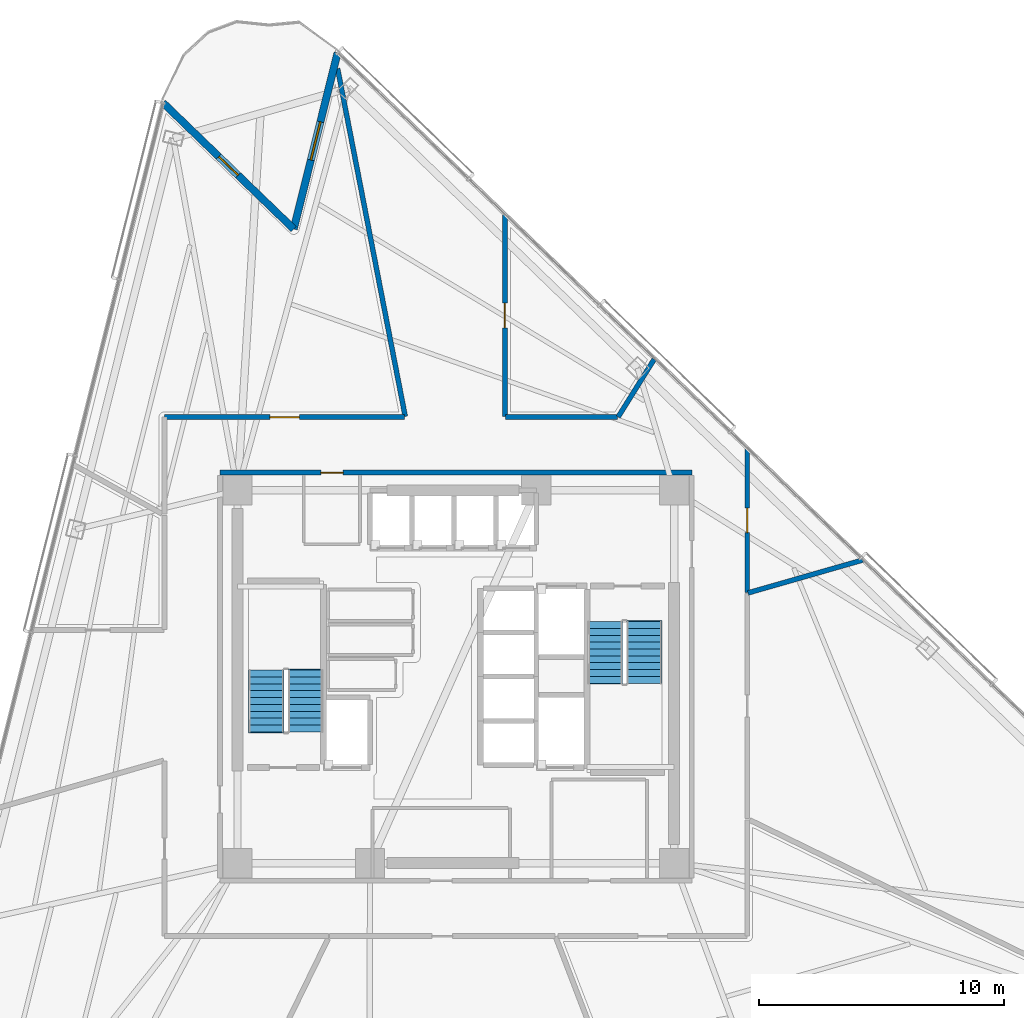
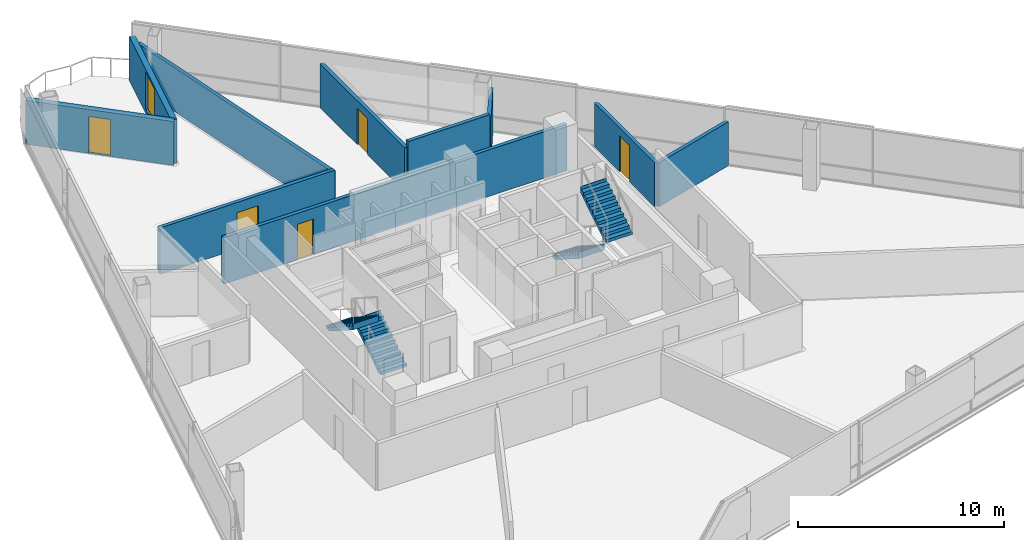
# One storey, part 11 of 17: 10 walls, 5 doors, 4 stair flights, 1 window, 6 openings, 2 elements without a shape of their own.
"""IFC4 building model written with IfcOpenShell, lengths in metres."""

from ifc_helpers import new_model, si_unit, direction, frame, frame_2d, origin, place, context, subcontext, project, spatial, polyline, rectangle, outline, extrude, material, layer, layer_set, type_object, element, fill, aggregate, save


model = new_model("IFC4")

# Units and contexts
model_context = context("Model", 3, precision=1e-05, world=origin(), true_north=direction((0.0, 1.0)))
body_context = subcontext(model_context, "Body", "Model", "MODEL_VIEW")
ifc_project = project(units=[si_unit("LENGTHUNIT", "METRE"), si_unit("AREAUNIT", "SQUARE_METRE"), si_unit("VOLUMEUNIT", "CUBIC_METRE"), si_unit("PLANEANGLEUNIT", "RADIAN"), si_unit("MASSUNIT", "GRAM", prefix="KILO")], contexts=[model_context])

# Site, building, storey
site_placement = place(None, origin())
site = spatial("IfcSite", under=ifc_project, at=site_placement, CompositionType="ELEMENT")
building_placement = place(site_placement, origin())
building = spatial("IfcBuilding", under=site, at=building_placement, Name="Tharavind Bronze Gate", CompositionType="ELEMENT")
storey_placement = place(building_placement, frame((0.0, 0.0, 93.300048828125)))
storey = spatial("IfcBuildingStorey", under=building, at=storey_placement, Name="L23", CompositionType="ELEMENT", Elevation=93.300048828125)

# Wall, opening, window
ifc_material_1 = material(Name="Concrete C40/50", Category="concrete")
ifc_layer_1 = layer(ifc_material_1, 0.300048828125)
ifc_layer_set_1 = layer_set([ifc_layer_1], Name="Concrete C40/50")
wall_type_1 = type_object("IfcWallType", Name="EXTERIOR SPANDREL WALL 300", PredefinedType="STANDARD", material=ifc_layer_set_1)
wall_1_placement = place(storey_placement, frame((-4.8203125, 25.433837890625, 0.0), z_axis=(0.0, 0.0, 1.0), x_axis=(-0.241930078207, -0.970293686086, 0.0)))
wall_1 = element("IfcWall", 1, at=wall_1_placement, inside=storey, type_object=wall_type_1, Name="L23 notch cheek wall 1A", PredefinedType="STANDARD", context=body_context, shape_type="SweptSolid", body=[
    extrude(rectangle(XDim=7.39990234375, YDim=0.300048828125, at=frame_2d((3.699951171875, 0.0))), origin(), (0.0, 0.0, 1.0), 2.60498046875),
])
opening_1_placement = place(wall_1_placement, frame((2.89990234375, 0.0, 0.25)))
opening_1 = element("IfcOpeningElement", 2, at=opening_1_placement, cuts=wall_1, Name="Opening W05", PredefinedType="OPENING", context=body_context, shape_type="SweptSolid", body=[
    extrude(rectangle(XDim=1.60009765625, YDim=2.199951171875, at=frame_2d((0.800048828125, 1.10009765625))), frame((0.0, 0.15990234375, 0.0), z_axis=(0.0, -1.0, 0.0), x_axis=(1.0, 0.0, 0.0)), (0.0, 0.0, 1.0), 0.320048828125),
])
ifc_material_2 = material(Name="Bronze Aluminium & Low-E Glass", Category="aluminium")
window_type = type_object("IfcWindowType", Name="OFFICE NOTCH BRONZE WINDOW 1600X2200", PartitioningType="DOUBLE_PANEL_VERTICAL", PredefinedType="WINDOW", material=ifc_material_2)
window_placement = place(opening_1_placement, origin())
window = element("IfcWindow", 3, at=window_placement, inside=storey, type_object=window_type, Name="L23 exterior window WL-L23-NCA1-01", OverallHeight=2.199951171875, OverallWidth=1.60009765625, PartitioningType="SINGLE_PANEL", PredefinedType="WINDOW", context=body_context, shape_type="SweptSolid", body=[
    extrude(rectangle(XDim=1.60009765625, YDim=2.199951171875, at=frame_2d((0.800048828125, 1.10009765625))), frame((0.0, 0.030029296875, 0.0), z_axis=(0.0, -1.0, 0.0), x_axis=(1.0, 0.0, 0.0)), (0.0, 0.0, 1.0), 0.06005859375),
])
fill(opening_1, window)

# Wall, opening, door
wall_2_placement = place(storey_placement, frame((-6.610595703125, 18.253662109375, 0.0), z_axis=(0.0, 0.0, 1.0), x_axis=(-0.719321869339, 0.694676938073, 0.0)))
wall_2 = element("IfcWall", 4, at=wall_2_placement, inside=storey, type_object=wall_type_1, Name="L23 notch cheek wall 1B", PredefinedType="STANDARD", context=body_context, shape_type="SweptSolid", body=[
    extrude(rectangle(XDim=7.39990234375, YDim=0.300048828125, at=frame_2d((3.699951171875, 0.0))), origin(), (0.0, 0.0, 1.0), 2.60498046875),
])
opening_2_placement = place(wall_2_placement, frame((3.14990234375, 0.0, 0.0)))
opening_2 = element("IfcOpeningElement", 5, at=opening_2_placement, cuts=wall_2, Name="Opening ED04", PredefinedType="OPENING", context=body_context, shape_type="SweptSolid", body=[
    extrude(rectangle(XDim=1.10009765625, YDim=2.199951171875, at=frame_2d((0.550048828125, 1.10009765625))), frame((0.0, 0.15990234375, 0.0), z_axis=(0.0, -1.0, 0.0), x_axis=(1.0, 0.0, 0.0)), (0.0, 0.0, 1.0), 0.320048828125),
])
ifc_material_3 = material(Name="Bronze Aluminium & Toughened Glass", Category="aluminium")
door_type_1 = type_object("IfcDoorType", Name="TREE BALCONY ACCESS DOOR 1100X2200", OperationType="SINGLE_SWING_LEFT", PredefinedType="DOOR", material=ifc_material_3)
door_1_placement = place(opening_2_placement, frame((1.10009765625, 0.0, 0.0), z_axis=(0.0, 0.0, 1.0), x_axis=(-1.0, 0.0, 0.0)))
door_1 = element("IfcDoor", 6, at=door_1_placement, inside=storey, type_object=door_type_1, Name="L23 tree balcony access door", OperationType="SINGLE_SWING_LEFT", OverallHeight=2.199951171875, OverallWidth=1.10009765625, PredefinedType="DOOR", context=body_context, shape_type="SweptSolid", body=[
    extrude(rectangle(XDim=1.10009765625, YDim=2.199951171875, at=frame_2d((0.550048828125, 1.10009765625))), frame((0.0, 0.02490234375, 0.0), z_axis=(0.0, -1.0, 0.0), x_axis=(1.0, 0.0, 0.0)), (0.0, 0.0, 1.0), 0.050048828125),
])
fill(opening_2, door_1)

ifc_material_4 = material(Name="Aerated Concrete Block", Category="concrete")
ifc_layer_2 = layer(ifc_material_4, 0.199951171875)
ifc_layer_set_2 = layer_set([ifc_layer_2], Name="Aerated Concrete Block")
wall_type_2 = type_object("IfcWallType", Name="FIRE RATED PARTITION 200", PredefinedType="PARTITIONING", material=ifc_layer_set_2)
wall_3_placement = place(storey_placement, frame((9.6201171875, 8.320068359375, 0.0), z_axis=(0.0, 0.0, 1.0), x_axis=(-1.0, 0.0, 0.0)))
wall_3 = element("IfcWall", 7, at=wall_3_placement, inside=storey, type_object=wall_type_2, Name="L23 north core corridor wall", PredefinedType="PARTITIONING", context=body_context, shape_type="SweptSolid", body=[
    extrude(rectangle(XDim=19.240234375, YDim=0.199951171875, at=frame_2d((9.6201171875, 0.0))), origin(), (0.0, 0.0, 1.0), 2.7548828125),
])
opening_3_placement = place(wall_3_placement, frame((14.219970703125, 0.0, 0.0)))
opening_3 = element("IfcOpeningElement", 8, at=opening_3_placement, cuts=wall_3, Name="Opening ID07", PredefinedType="OPENING", context=body_context, shape_type="SweptSolid", body=[
    extrude(rectangle(XDim=0.89990234375, YDim=2.10009765625, at=frame_2d((0.449951171875, 1.050048828125))), frame((0.0, 0.11009765625, 0.0), z_axis=(0.0, -1.0, 0.0), x_axis=(1.0, 0.0, 0.0)), (0.0, 0.0, 1.0), 0.219951171875),
])
ifc_material_5 = material(Name="Galvanised Fire Steel", Category="steel")
door_type_2 = type_object("IfcDoorType", Name="PLANT AND RISER FIRE DOOR 900X2100", OperationType="SINGLE_SWING_LEFT", PredefinedType="DOOR", material=ifc_material_5)
door_2_placement = place(opening_3_placement, origin())
door_2 = element("IfcDoor", 9, at=door_2_placement, inside=storey, type_object=door_type_2, Name="L23 Electrical Switch Cupboard fire door", OperationType="SINGLE_SWING_LEFT", OverallHeight=2.10009765625, OverallWidth=0.89990234375, PredefinedType="DOOR", context=body_context, shape_type="SweptSolid", body=[
    extrude(rectangle(XDim=0.89990234375, YDim=2.10009765625, at=frame_2d((0.449951171875, 1.050048828125))), frame((0.0, 0.02490234375, 0.0), z_axis=(0.0, -1.0, 0.0), x_axis=(1.0, 0.0, 0.0)), (0.0, 0.0, 1.0), 0.050048828125),
])
fill(opening_3, door_2)

# Wall
wall_4_placement = place(storey_placement, frame((16.5908203125, 4.75732421875, 0.0), z_axis=(0.0, 0.0, 1.0), x_axis=(-0.961268012523, -0.275615326314, 0.0)))
element("IfcWall", 10, at=wall_4_placement, inside=storey, type_object=wall_type_2, Name="L23 Open Office Workplace North partition", PredefinedType="PARTITIONING", context=body_context, shape_type="SweptSolid", body=[
    extrude(rectangle(XDim=4.867431640625, YDim=0.199951171875, at=frame_2d((2.43359375, 0.0))), origin(), (0.0, 0.0, 1.0), 2.60498046875),
])

# Wall, opening, door
wall_5_placement = place(storey_placement, frame((11.8798828125, 3.439697265625, 0.0), z_axis=(0.0, 0.0, 1.0), x_axis=(0.0, 1.0, 0.0)))
wall_5 = element("IfcWall", 11, at=wall_5_placement, inside=storey, type_object=wall_type_2, Name="L23 Open Office Workplace North partition", PredefinedType="PARTITIONING", context=body_context, shape_type="SweptSolid", body=[
    extrude(rectangle(XDim=5.866943359375, YDim=0.199951171875, at=frame_2d((2.93359375, 0.0))), origin(), (0.0, 0.0, 1.0), 2.60498046875),
])
opening_4_placement = place(wall_5_placement, frame((2.43310546875, 0.0, 0.0)))
opening_4 = element("IfcOpeningElement", 12, at=opening_4_placement, cuts=wall_5, Name="Opening ID04", PredefinedType="OPENING", context=body_context, shape_type="SweptSolid", body=[
    extrude(rectangle(XDim=1.0, YDim=2.14990234375, at=frame_2d((0.5, 1.074951171875))), frame((0.0, 0.11009765625, 0.0), z_axis=(0.0, -1.0, 0.0), x_axis=(1.0, 0.0, 0.0)), (0.0, 0.0, 1.0), 0.219951171875),
])
ifc_material_6 = material(Name="Bronze Framed Acoustic Timber", Category="wood")
door_type_3 = type_object("IfcDoorType", Name="OFFICE TENANCY DOOR 1000X2150", OperationType="SINGLE_SWING_RIGHT", PredefinedType="DOOR", material=ifc_material_6)
door_3_placement = place(opening_4_placement, origin())
door_3 = element("IfcDoor", 13, at=door_3_placement, inside=storey, type_object=door_type_3, Name="L23 Open Office Workplace North door", OperationType="SINGLE_SWING_RIGHT", OverallHeight=2.14990234375, OverallWidth=1.0, PredefinedType="DOOR", context=body_context, shape_type="SweptSolid", body=[
    extrude(rectangle(XDim=1.0, YDim=2.14990234375, at=frame_2d((0.5, 1.074951171875))), frame((0.0, 0.02490234375, 0.0), z_axis=(0.0, -1.0, 0.0), x_axis=(1.0, 0.0, 0.0)), (0.0, 0.0, 1.0), 0.050048828125),
])
fill(opening_4, door_3)

# Walls
wall_6_placement = place(storey_placement, frame((8.0869140625, 12.94189453125, 0.0), z_axis=(0.0, 0.0, 1.0), x_axis=(-0.529919746943, -0.848047794526, 0.0)))
element("IfcWall", 14, at=wall_6_placement, inside=storey, type_object=wall_type_2, Name="L23 Executive Corner Office partition", PredefinedType="PARTITIONING", context=body_context, shape_type="SweptSolid", body=[
    extrude(rectangle(XDim=2.771240234375, YDim=0.199951171875, at=frame_2d((1.3857421875, 0.0))), origin(), (0.0, 0.0, 1.0), 2.60498046875),
])
wall_7_placement = place(storey_placement, frame((6.597412109375, 10.580078125, 0.0), z_axis=(0.0, 0.0, 1.0), x_axis=(-1.0, 0.0, 0.0)))
element("IfcWall", 15, at=wall_7_placement, inside=storey, type_object=wall_type_2, Name="L23 Executive Corner Office partition", PredefinedType="PARTITIONING", context=body_context, shape_type="SweptSolid", body=[
    extrude(rectangle(XDim=4.572509765625, YDim=0.199951171875, at=frame_2d((2.2861328125, 0.0))), origin(), (0.0, 0.0, 1.0), 3.0048828125),
])

# Wall, opening, door
wall_8_placement = place(storey_placement, frame((2.0, 10.60498046875, 0.0), z_axis=(0.0, 0.0, 1.0), x_axis=(0.0, 1.0, 0.0)))
wall_8 = element("IfcWall", 16, at=wall_8_placement, inside=storey, type_object=wall_type_2, Name="L23 Executive Corner Office partition", PredefinedType="PARTITIONING", context=body_context, shape_type="SweptSolid", body=[
    extrude(rectangle(XDim=8.242431640625, YDim=0.199951171875, at=frame_2d((4.12109375, 0.0))), origin(), (0.0, 0.0, 1.0), 2.60498046875),
])
opening_5_placement = place(wall_8_placement, frame((3.62109375, 0.0, 0.0)))
opening_5 = element("IfcOpeningElement", 17, at=opening_5_placement, cuts=wall_8, Name="Opening ID04", PredefinedType="OPENING", context=body_context, shape_type="SweptSolid", body=[
    extrude(rectangle(XDim=1.0, YDim=2.14990234375, at=frame_2d((0.5, 1.074951171875))), frame((0.0, 0.11009765625, 0.0), z_axis=(0.0, -1.0, 0.0), x_axis=(1.0, 0.0, 0.0)), (0.0, 0.0, 1.0), 0.219951171875),
])
door_4_placement = place(opening_5_placement, origin())
door_4 = element("IfcDoor", 18, at=door_4_placement, inside=storey, type_object=door_type_3, Name="L23 Executive Corner Office door", OperationType="SINGLE_SWING_RIGHT", OverallHeight=2.14990234375, OverallWidth=1.0, PredefinedType="DOOR", context=body_context, shape_type="SweptSolid", body=[
    extrude(rectangle(XDim=1.0, YDim=2.14990234375, at=frame_2d((0.5, 1.074951171875))), frame((0.0, 0.02490234375, 0.0), z_axis=(0.0, -1.0, 0.0), x_axis=(1.0, 0.0, 0.0)), (0.0, 0.0, 1.0), 0.050048828125),
])
fill(opening_5, door_4)

# Wall
wall_9_placement = place(storey_placement, frame((-4.81982421875, 24.795654296875, 0.0), z_axis=(0.0, 0.0, 1.0), x_axis=(0.190817657992, -0.981625499566, 0.0)))
element("IfcWall", 19, at=wall_9_placement, inside=storey, type_object=wall_type_2, Name="L23 Boardroom partition", PredefinedType="PARTITIONING", context=body_context, shape_type="SweptSolid", body=[
    extrude(rectangle(XDim=14.451416015625, YDim=0.199951171875, at=frame_2d((7.2255859375, 0.0))), origin(), (0.0, 0.0, 1.0), 2.60498046875),
])

# Wall, opening, door
wall_10_placement = place(storey_placement, frame((-2.0869140625, 10.580078125, 0.0), z_axis=(0.0, 0.0, 1.0), x_axis=(-1.0, 0.0, 0.0)))
wall_10 = element("IfcWall", 20, at=wall_10_placement, inside=storey, type_object=wall_type_2, Name="L23 Boardroom partition", PredefinedType="PARTITIONING", context=body_context, shape_type="SweptSolid", body=[
    extrude(rectangle(XDim=9.79248046875, YDim=0.199951171875, at=frame_2d((4.896240234375, 0.0))), origin(), (0.0, 0.0, 1.0), 2.7548828125),
])
opening_6_placement = place(wall_10_placement, frame((4.2958984375, 0.0, 0.0)))
opening_6 = element("IfcOpeningElement", 21, at=opening_6_placement, cuts=wall_10, Name="Opening ID05", PredefinedType="OPENING", context=body_context, shape_type="SweptSolid", body=[
    extrude(rectangle(XDim=1.199951171875, YDim=2.14990234375, at=frame_2d((0.60009765625, 1.074951171875))), frame((0.0, 0.11009765625, 0.0), z_axis=(0.0, -1.0, 0.0), x_axis=(1.0, 0.0, 0.0)), (0.0, 0.0, 1.0), 0.219951171875),
])
ifc_material_7 = material(Name="Acoustic Laminated Glass", Category="glass")
door_type_4 = type_object("IfcDoorType", Name="MEETING ROOM GLAZED DOOR 1200X2150", OperationType="SINGLE_SWING_LEFT", PredefinedType="DOOR", material=ifc_material_7)
door_5_placement = place(opening_6_placement, origin())
door_5 = element("IfcDoor", 22, at=door_5_placement, inside=storey, type_object=door_type_4, Name="L23 Boardroom door", OperationType="SINGLE_SWING_LEFT", OverallHeight=2.14990234375, OverallWidth=1.199951171875, PredefinedType="DOOR", context=body_context, shape_type="SweptSolid", body=[
    extrude(rectangle(XDim=1.199951171875, YDim=2.14990234375, at=frame_2d((0.60009765625, 1.074951171875))), frame((0.0, 0.02490234375, 0.0), z_axis=(0.0, -1.0, 0.0), x_axis=(1.0, 0.0, 0.0)), (0.0, 0.0, 1.0), 0.050048828125),
])
fill(opening_6, door_5)

# Stair, stair flights
stair_type = type_object("IfcStairType", Name="CORE HALF TURN STAIR 1450", PredefinedType="HALF_TURN_STAIR", material=ifc_material_1)
stair_1_placement = place(storey_placement, origin())
stair_1 = element("IfcStair", 23, at=stair_1_placement, inside=storey, type_object=stair_type, Name="L23 Protected Exit Stair ST1", PredefinedType="HALF_TURN_STAIR")
stair_flight_type = type_object("IfcStairFlightType", Name="CORE STAIR FLIGHT 1450", PredefinedType="STRAIGHT", material=ifc_material_1)
stair_flight_1_placement = place(storey_placement, frame((-6.125, -2.25, 0.0), z_axis=(0.0, 0.0, 1.0), x_axis=(0.0, 1.0, 0.0)))
stair_flight_1 = element("IfcStairFlight", 24, at=stair_flight_1_placement, type_object=stair_flight_type, Name="ST1 flight 1", NumberOfRisers=10, NumberOfTreads=9, PredefinedType="STRAIGHT", RiserHeight=0.18, TreadLength=0.28, context=body_context, shape_type="SweptSolid", body=[
    extrude(outline(polyline([(0.0, 0.0), (0.0, 0.179931640625), (0.280029296875, 0.179931640625), (0.280029296875, 0.360107421875), (0.56005859375, 0.360107421875), (0.56005859375, 0.5400390625), (0.840087890625, 0.5400390625), (0.840087890625, 0.719970703125), (1.1201171875, 0.719970703125), (1.1201171875, 0.89990234375), (1.39990234375, 0.89990234375), (1.39990234375, 1.080078125), (1.679931640625, 1.080078125), (1.679931640625, 1.260009765625), (1.9599609375, 1.260009765625), (1.9599609375, 1.43994140625), (2.239990234375, 1.43994140625), (2.239990234375, 1.6201171875), (2.52001953125, 1.6201171875), (2.52001953125, 1.800048828125), (2.555908203125, 1.800048828125), (2.555908203125, 1.44189453125), (0.277099609375, 0.0), (0.0, 0.0)])), frame((0.0, 0.72509765625, 0.0), z_axis=(0.0, -1.0, 0.0), x_axis=(1.0, 0.0, 0.0)), (0.0, 0.0, 1.0), 1.449951171875),
])
stair_flight_2_placement = place(storey_placement, frame((-7.72509765625, 0.27001953125, 1.800048828125), z_axis=(0.0, 0.0, 1.0), x_axis=(0.0, -1.0, 0.0)))
stair_flight_2 = element("IfcStairFlight", 25, at=stair_flight_2_placement, type_object=stair_flight_type, Name="ST1 flight 2", NumberOfRisers=10, NumberOfTreads=9, PredefinedType="STRAIGHT", RiserHeight=0.18, TreadLength=0.28, context=body_context, shape_type="SweptSolid", body=[
    extrude(outline(polyline([(0.0, 0.0), (0.0, 0.179931640625), (0.280029296875, 0.179931640625), (0.280029296875, 0.360107421875), (0.56005859375, 0.360107421875), (0.56005859375, 0.5400390625), (0.840087890625, 0.5400390625), (0.840087890625, 0.719970703125), (1.1201171875, 0.719970703125), (1.1201171875, 0.89990234375), (1.39990234375, 0.89990234375), (1.39990234375, 1.080078125), (1.679931640625, 1.080078125), (1.679931640625, 1.260009765625), (1.9599609375, 1.260009765625), (1.9599609375, 1.43994140625), (2.239990234375, 1.43994140625), (2.239990234375, 1.6201171875), (2.52001953125, 1.6201171875), (2.52001953125, 1.800048828125), (2.555908203125, 1.800048828125), (2.555908203125, 1.44189453125), (0.277099609375, 0.0), (0.0, 0.0)])), frame((0.0, 0.72509765625, 0.0), z_axis=(0.0, -1.0, 0.0), x_axis=(1.0, 0.0, 0.0)), (0.0, 0.0, 1.0), 1.449951171875),
])
aggregate(stair_1, [stair_flight_1, stair_flight_2])

stair_2_placement = place(storey_placement, origin())
stair_2 = element("IfcStair", 26, at=stair_2_placement, inside=storey, type_object=stair_type, Name="L23 Protected Exit Stair ST2", PredefinedType="HALF_TURN_STAIR")
stair_flight_3_placement = place(storey_placement, frame((6.074951171875, 2.25, 0.0), z_axis=(0.0, 0.0, 1.0), x_axis=(0.0, -1.0, 0.0)))
stair_flight_3 = element("IfcStairFlight", 27, at=stair_flight_3_placement, type_object=stair_flight_type, Name="ST2 flight 1", NumberOfRisers=10, NumberOfTreads=9, PredefinedType="STRAIGHT", RiserHeight=0.18, TreadLength=0.28, context=body_context, shape_type="SweptSolid", body=[
    extrude(outline(polyline([(0.0, 0.0), (0.0, 0.179931640625), (0.280029296875, 0.179931640625), (0.280029296875, 0.360107421875), (0.56005859375, 0.360107421875), (0.56005859375, 0.5400390625), (0.840087890625, 0.5400390625), (0.840087890625, 0.719970703125), (1.1201171875, 0.719970703125), (1.1201171875, 0.89990234375), (1.39990234375, 0.89990234375), (1.39990234375, 1.080078125), (1.679931640625, 1.080078125), (1.679931640625, 1.260009765625), (1.9599609375, 1.260009765625), (1.9599609375, 1.43994140625), (2.239990234375, 1.43994140625), (2.239990234375, 1.6201171875), (2.52001953125, 1.6201171875), (2.52001953125, 1.800048828125), (2.555908203125, 1.800048828125), (2.555908203125, 1.44189453125), (0.277099609375, 0.0), (0.0, 0.0)])), frame((0.0, 0.72509765625, 0.0), z_axis=(0.0, -1.0, 0.0), x_axis=(1.0, 0.0, 0.0)), (0.0, 0.0, 1.0), 1.449951171875),
])
stair_flight_4_placement = place(storey_placement, frame((7.675048828125, -0.27001953125, 1.800048828125), z_axis=(0.0, 0.0, 1.0), x_axis=(0.0, 1.0, 0.0)))
stair_flight_4 = element("IfcStairFlight", 28, at=stair_flight_4_placement, type_object=stair_flight_type, Name="ST2 flight 2", NumberOfRisers=10, NumberOfTreads=9, PredefinedType="STRAIGHT", RiserHeight=0.18, TreadLength=0.28, context=body_context, shape_type="SweptSolid", body=[
    extrude(outline(polyline([(0.0, 0.0), (0.0, 0.179931640625), (0.280029296875, 0.179931640625), (0.280029296875, 0.360107421875), (0.56005859375, 0.360107421875), (0.56005859375, 0.5400390625), (0.840087890625, 0.5400390625), (0.840087890625, 0.719970703125), (1.1201171875, 0.719970703125), (1.1201171875, 0.89990234375), (1.39990234375, 0.89990234375), (1.39990234375, 1.080078125), (1.679931640625, 1.080078125), (1.679931640625, 1.260009765625), (1.9599609375, 1.260009765625), (1.9599609375, 1.43994140625), (2.239990234375, 1.43994140625), (2.239990234375, 1.6201171875), (2.52001953125, 1.6201171875), (2.52001953125, 1.800048828125), (2.555908203125, 1.800048828125), (2.555908203125, 1.44189453125), (0.277099609375, 0.0), (0.0, 0.0)])), frame((0.0, 0.72509765625, 0.0), z_axis=(0.0, -1.0, 0.0), x_axis=(1.0, 0.0, 0.0)), (0.0, 0.0, 1.0), 1.449951171875),
])
aggregate(stair_2, [stair_flight_3, stair_flight_4])

save(model, "model.ifc")
